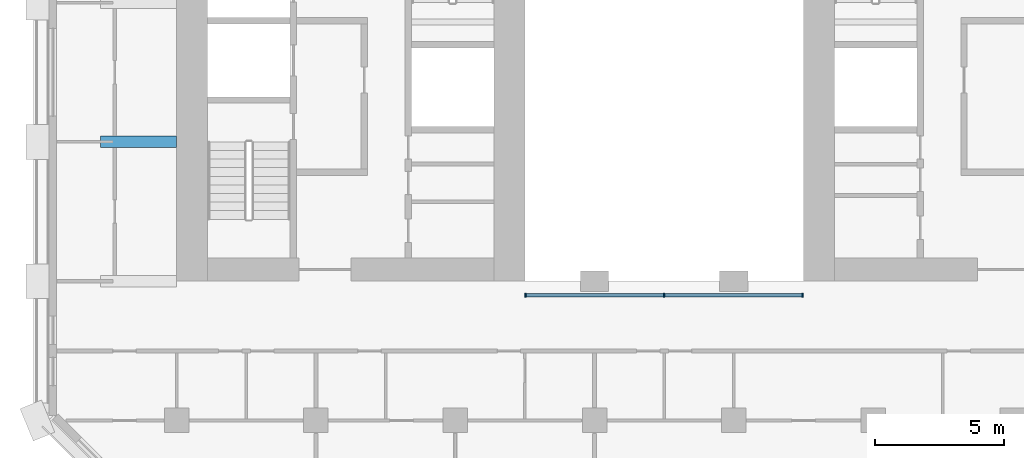
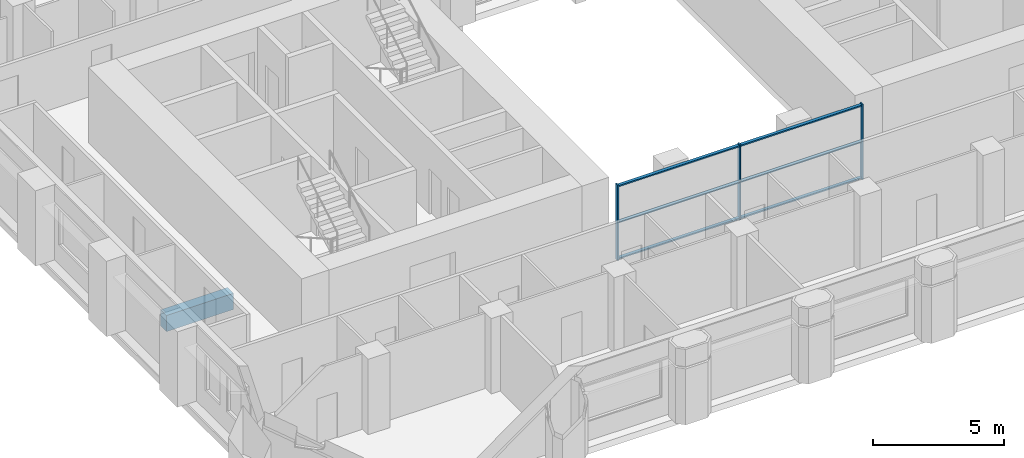
# One storey, part 2 of 13: 9 members, 1 beam, 1 element without a shape of its own.
"""IFC4 building model written with IfcOpenShell, lengths in metres."""

from ifc_helpers import new_model, si_unit, direction, frame, origin, origin_2d, place, context, subcontext, project, spatial, rectangle, extrude, material, material_profile, profile_set, type_object, element, aggregate, save


model = new_model("IFC4")

# Units and contexts
model_context = context("Model", 3, precision=1e-05, world=origin(), true_north=direction((0.0, 1.0)))
body_context = subcontext(model_context, "Body", "Model", "MODEL_VIEW")
ifc_project = project(units=[si_unit("LENGTHUNIT", "METRE"), si_unit("AREAUNIT", "SQUARE_METRE"), si_unit("VOLUMEUNIT", "CUBIC_METRE"), si_unit("PLANEANGLEUNIT", "RADIAN"), si_unit("MASSUNIT", "GRAM", prefix="KILO")], contexts=[model_context])

# Site, building, storey
site_placement = place(None, origin())
site = spatial("IfcSite", under=ifc_project, at=site_placement, CompositionType="ELEMENT")
building_placement = place(site_placement, origin())
building = spatial("IfcBuilding", under=site, at=building_placement, Name="Tabaq Tower and Sports Hall", CompositionType="ELEMENT")
storey_placement = place(building_placement, frame((0.0, 0.0, 106.800048828125)))
storey = spatial("IfcBuildingStorey", under=building, at=storey_placement, Name="L25", CompositionType="ELEMENT", Elevation=106.800048828125)

# Curtain wall, members
ifc_material_1 = material(Name="Aluminium alloy 6063-T6 framed glazing", Category="aluminium")
curtain_wall_type = type_object("IfcCurtainWallType", Name="CW1 curtain wall", PredefinedType="USERDEFINED", material=ifc_material_1)
curtain_wall_placement = place(storey_placement, origin())
curtain_wall = element("IfcCurtainWall", 1, at=curtain_wall_placement, inside=storey, type_object=curtain_wall_type, Name="Atrium glazing L25 S", ObjectType="ATRIUM ENCLOSURE", PredefinedType="USERDEFINED")
ifc_material_2 = material(Name="Aluminium alloy 6063-T6", Category="aluminium")
ifc_material_profile_1 = material_profile(ifc_material_2, rectangle(XDim=0.159912109375, YDim=0.06005859375, at=origin_2d()), Name="MULLION 160x60")
ifc_profile_set_1 = profile_set([ifc_material_profile_1], Name="Aluminium alloy 6063-T6")
member_type_1 = type_object("IfcMemberType", Name="CW1 mullion 160x60", PredefinedType="MULLION", material=ifc_profile_set_1)
member_1_placement = place(storey_placement, frame((18.929931640625, 15.64990234375, 0.0), z_axis=(0.0, 0.0, 1.0), x_axis=(0.0, 1.0, 0.0)))
member_1 = element("IfcMember", 2, at=member_1_placement, type_object=member_type_1, Name="CW1 mullion 1", PredefinedType="MULLION", context=body_context, shape_type="SweptSolid", body=[
    extrude(rectangle(XDim=0.159912109375, YDim=0.06005859375, at=origin_2d()), origin(), (0.0, 0.0, 1.0), 3.5),
])
member_2_placement = place(storey_placement, frame((24.300048828125, 15.64990234375, 0.0), z_axis=(0.0, 0.0, 1.0), x_axis=(0.0, 1.0, 0.0)))
member_2 = element("IfcMember", 3, at=member_2_placement, type_object=member_type_1, Name="CW1 mullion 2", PredefinedType="MULLION", context=body_context, shape_type="SweptSolid", body=[
    extrude(rectangle(XDim=0.159912109375, YDim=0.06005859375, at=origin_2d()), origin(), (0.0, 0.0, 1.0), 3.5),
])
member_3_placement = place(storey_placement, frame((29.669921875, 15.64990234375, 0.0), z_axis=(0.0, 0.0, 1.0), x_axis=(0.0, 1.0, 0.0)))
member_3 = element("IfcMember", 4, at=member_3_placement, type_object=member_type_1, Name="CW1 mullion 3", PredefinedType="MULLION", context=body_context, shape_type="SweptSolid", body=[
    extrude(rectangle(XDim=0.159912109375, YDim=0.06005859375, at=origin_2d()), origin(), (0.0, 0.0, 1.0), 3.5),
])
ifc_material_3 = material(Name="Aluminium alloy 6063-T6", Category="aluminium")
ifc_material_profile_2 = material_profile(ifc_material_3, rectangle(XDim=0.139892578125, YDim=0.06005859375, at=origin_2d()), Name="TRANSOM 140x60")
ifc_profile_set_2 = profile_set([ifc_material_profile_2], Name="Aluminium alloy 6063-T6")
member_type_2 = type_object("IfcMemberType", Name="CW1 transom 140x60", PredefinedType="USERDEFINED", material=ifc_profile_set_2)
member_4_placement = place(storey_placement, frame((18.9599609375, 15.64990234375, 0.070068359375), z_axis=(1.0, 0.0, 0.0), x_axis=(0.0, 1.0, 0.0)))
member_4 = element("IfcMember", 5, at=member_4_placement, type_object=member_type_2, Name="CW1 transom 1.1", ObjectType="TRANSOM", PredefinedType="USERDEFINED", context=body_context, shape_type="SweptSolid", body=[
    extrude(rectangle(XDim=0.139892578125, YDim=0.06005859375, at=origin_2d()), origin(), (0.0, 0.0, 1.0), 5.31005859375),
])
member_5_placement = place(storey_placement, frame((18.9599609375, 15.64990234375, 1.75), z_axis=(1.0, 0.0, 0.0), x_axis=(0.0, 1.0, 0.0)))
member_5 = element("IfcMember", 6, at=member_5_placement, type_object=member_type_2, Name="CW1 transom 1.2", ObjectType="TRANSOM", PredefinedType="USERDEFINED", context=body_context, shape_type="SweptSolid", body=[
    extrude(rectangle(XDim=0.139892578125, YDim=0.06005859375, at=origin_2d()), origin(), (0.0, 0.0, 1.0), 5.31005859375),
])
member_6_placement = place(storey_placement, frame((18.9599609375, 15.64990234375, 3.429931640625), z_axis=(1.0, 0.0, 0.0), x_axis=(0.0, 1.0, 0.0)))
member_6 = element("IfcMember", 7, at=member_6_placement, type_object=member_type_2, Name="CW1 transom 1.3", ObjectType="TRANSOM", PredefinedType="USERDEFINED", context=body_context, shape_type="SweptSolid", body=[
    extrude(rectangle(XDim=0.139892578125, YDim=0.06005859375, at=origin_2d()), origin(), (0.0, 0.0, 1.0), 5.31005859375),
])
member_7_placement = place(storey_placement, frame((24.330078125, 15.64990234375, 0.070068359375), z_axis=(1.0, 0.0, 0.0), x_axis=(0.0, 1.0, 0.0)))
member_7 = element("IfcMember", 8, at=member_7_placement, type_object=member_type_2, Name="CW1 transom 2.1", ObjectType="TRANSOM", PredefinedType="USERDEFINED", context=body_context, shape_type="SweptSolid", body=[
    extrude(rectangle(XDim=0.139892578125, YDim=0.06005859375, at=origin_2d()), origin(), (0.0, 0.0, 1.0), 5.309814453125),
])
member_8_placement = place(storey_placement, frame((24.330078125, 15.64990234375, 1.75), z_axis=(1.0, 0.0, 0.0), x_axis=(0.0, 1.0, 0.0)))
member_8 = element("IfcMember", 9, at=member_8_placement, type_object=member_type_2, Name="CW1 transom 2.2", ObjectType="TRANSOM", PredefinedType="USERDEFINED", context=body_context, shape_type="SweptSolid", body=[
    extrude(rectangle(XDim=0.139892578125, YDim=0.06005859375, at=origin_2d()), origin(), (0.0, 0.0, 1.0), 5.309814453125),
])
member_9_placement = place(storey_placement, frame((24.330078125, 15.64990234375, 3.429931640625), z_axis=(1.0, 0.0, 0.0), x_axis=(0.0, 1.0, 0.0)))
member_9 = element("IfcMember", 10, at=member_9_placement, type_object=member_type_2, Name="CW1 transom 2.3", ObjectType="TRANSOM", PredefinedType="USERDEFINED", context=body_context, shape_type="SweptSolid", body=[
    extrude(rectangle(XDim=0.139892578125, YDim=0.06005859375, at=origin_2d()), origin(), (0.0, 0.0, 1.0), 5.309814453125),
])
aggregate(curtain_wall, [member_1, member_2, member_3, member_4, member_5, member_6, member_7, member_8, member_9])

# Beam
ifc_material_4 = material(Name="Concrete C40/50", Category="concrete")
ifc_material_profile_3 = material_profile(ifc_material_4, rectangle(XDim=0.449951171875, YDim=0.75, at=origin_2d()), Name="CB 450x750")
ifc_profile_set_3 = profile_set([ifc_material_profile_3], Name="Concrete C40/50")
beam_type = type_object("IfcBeamType", Name="PT CANTILEVER BEAM CB 450x750 C40/50", PredefinedType="BEAM", material=ifc_profile_set_3)
beam_placement = place(storey_placement, frame((2.449951171875, 21.60009765625, -0.675048828125), z_axis=(1.0, 0.0, 0.0), x_axis=(0.0, 1.0, 0.0)))
element("IfcBeam", 11, at=beam_placement, inside=storey, type_object=beam_type, Name="Cantilever Beam L25 W4 span 1", PredefinedType="BEAM", context=body_context, shape_type="SweptSolid", body=[
    extrude(rectangle(XDim=0.449951171875, YDim=0.75, at=origin_2d()), origin(), (0.0, 0.0, 1.0), 2.949951171875),
])

save(model, "model.ifc")
